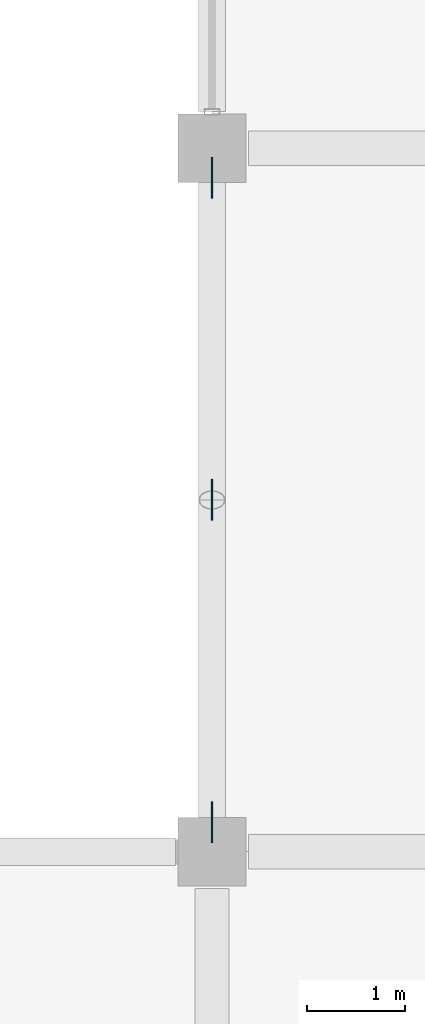
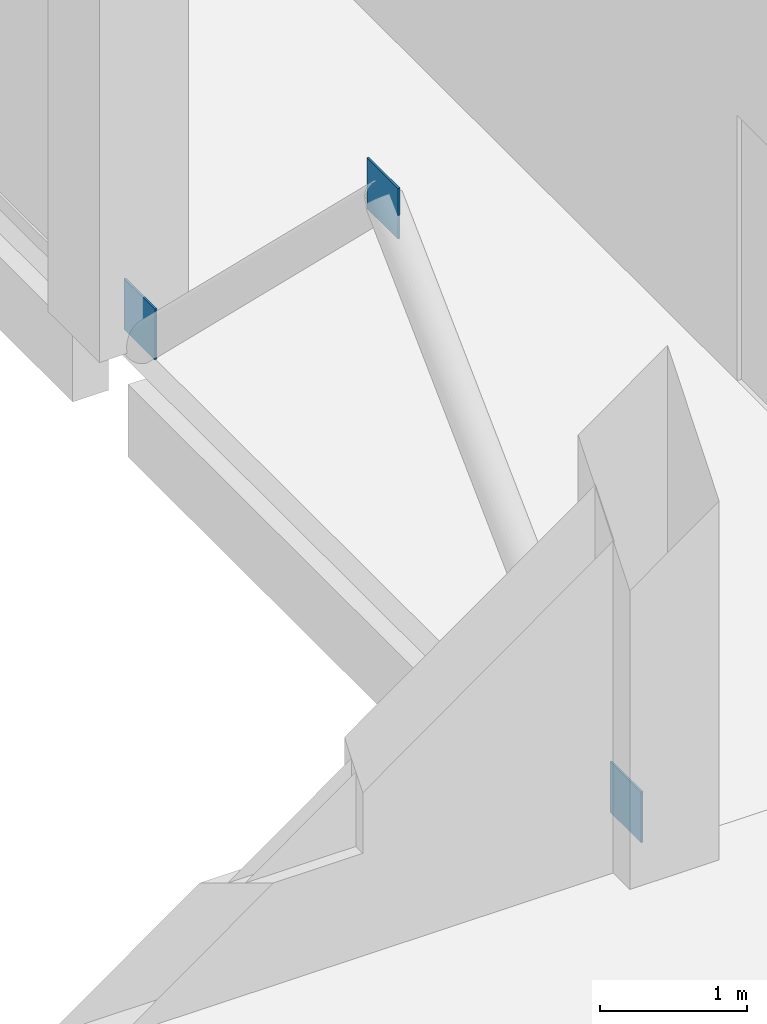
# One storey, part 65 of 91: 3 plates.
"""IFC4 building model written with IfcOpenShell, lengths in metres."""

from ifc_helpers import new_model, si_unit, direction, frame, origin, origin_2d, place, context, subcontext, project, spatial, rectangle, extrude, material, layer, layer_set, type_object, element, save


model = new_model("IFC4")

# Units and contexts
model_context = context("Model", 3, precision=1e-05, world=origin(), true_north=direction((0.0, 1.0)))
body_context = subcontext(model_context, "Body", "Model", "MODEL_VIEW")
ifc_project = project(units=[si_unit("LENGTHUNIT", "METRE"), si_unit("AREAUNIT", "SQUARE_METRE"), si_unit("VOLUMEUNIT", "CUBIC_METRE"), si_unit("PLANEANGLEUNIT", "RADIAN"), si_unit("MASSUNIT", "GRAM", prefix="KILO")], contexts=[model_context])

# Site, building, storey
site_placement = place(None, origin())
site = spatial("IfcSite", under=ifc_project, at=site_placement, CompositionType="ELEMENT")
building_placement = place(site_placement, origin())
building = spatial("IfcBuilding", under=site, at=building_placement, Name="Kangsadwip Square Police Headquarters", CompositionType="ELEMENT")
storey_placement = place(building_placement, frame((0.0, 0.0, 13.5)))
storey = spatial("IfcBuildingStorey", under=building, at=storey_placement, Name="L03", CompositionType="ELEMENT", Elevation=13.5)

# Plates
ifc_material = material(Name="Structural steel IS 2062 E350 (Grade 350, 350 MPa)", Category="steel")
ifc_layer = layer(ifc_material, 0.01611328125)
ifc_layer_set = layer_set([ifc_layer], Name="Structural steel IS 2062 E350 (Grade 350, 350 MPa)")
plate_type = type_object("IfcPlateType", Name="TrussGussetPlate16", PredefinedType="USERDEFINED", material=ifc_layer_set)
for number, where, z_axis, x_axis, name in (
    (1, (144.0, 39.60009765625, 3.0), (0.0, 0.0, 1.0), (0.0, 1.0, 0.0), "Truss Node Gusset Plate GP-L03-0160"),
    (2, (144.0, 36.300048828125, 0.0), (0.0, 0.0, 1.0), (0.0, 1.0, 0.0), "Truss Node Gusset Plate GP-L03-0161"),
    (3, (144.0, 42.89990234375, 0.0), (0.0, 0.0, 1.0), (0.0, 1.0, 0.0), "Truss Node Gusset Plate GP-L03-0162"),
):
    element("IfcPlate", number, at=place(storey_placement, frame(where, z_axis=z_axis, x_axis=x_axis)), inside=storey, type_object=plate_type, Name=name, ObjectType="GUSSET_PLATE", PredefinedType="USERDEFINED", context=body_context, shape_type="SweptSolid", body=[
        extrude(rectangle(XDim=0.419921875, YDim=0.01611328125, at=origin_2d()), origin(), (0.0, 0.0, 1.0), 0.419921875),
    ])

save(model, "model.ifc")
